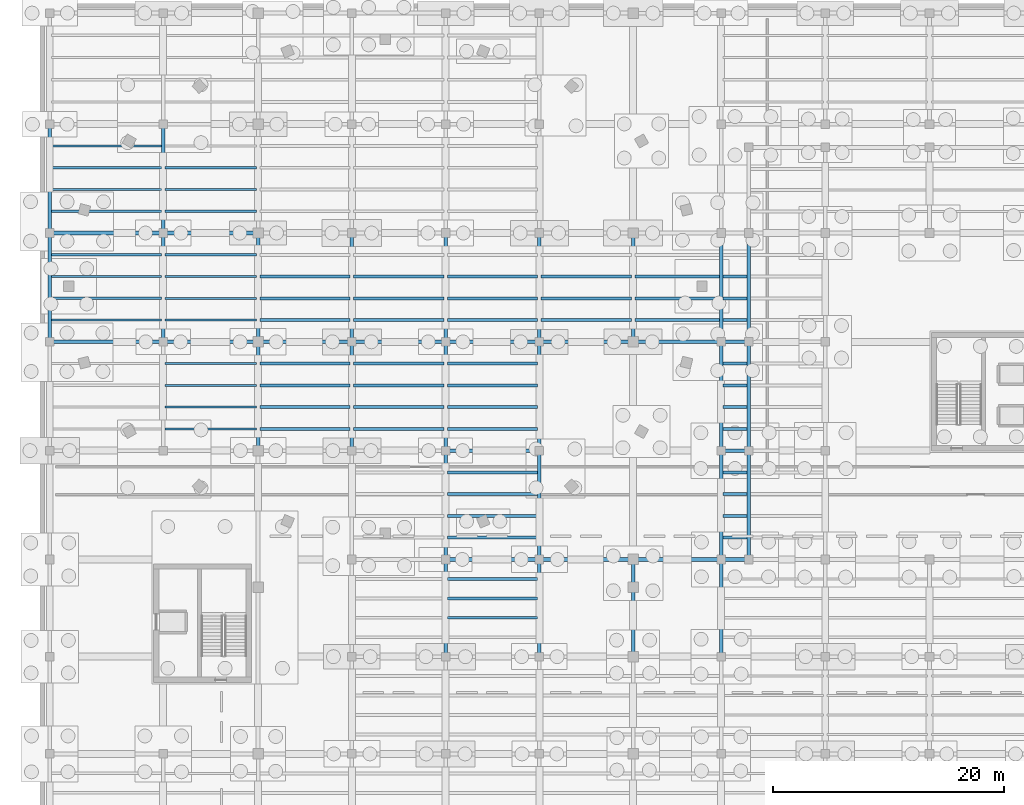
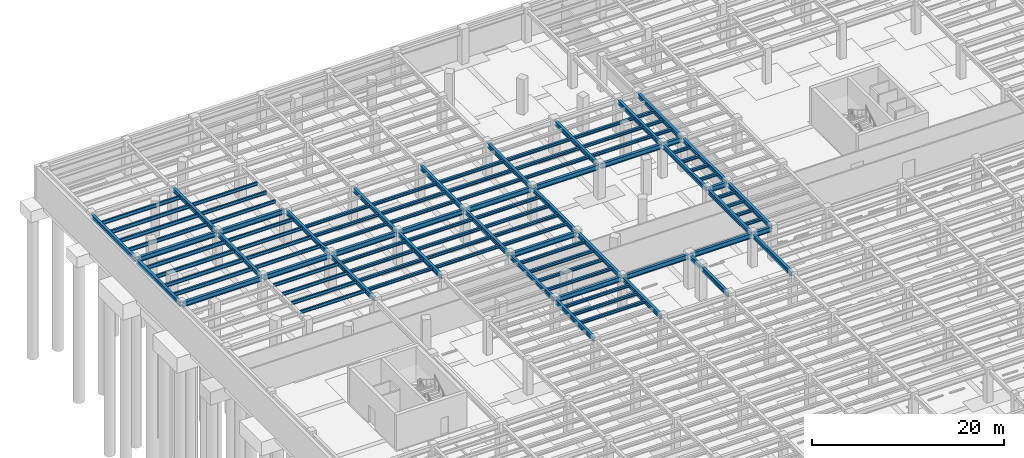
# One storey, part 23 of 49: 106 beams.
"""IFC4 building model written with IfcOpenShell, lengths in metres."""

from ifc_helpers import new_model, si_unit, direction, frame, origin, origin_2d, place, context, subcontext, project, spatial, i_section, extrude, material, material_profile, profile_set, type_object, element, save


model = new_model("IFC4")

# Units and contexts
model_context = context("Model", 3, precision=1e-05, world=origin(), true_north=direction((0.0, 1.0)))
body_context = subcontext(model_context, "Body", "Model", "MODEL_VIEW")
ifc_project = project(units=[si_unit("LENGTHUNIT", "METRE"), si_unit("AREAUNIT", "SQUARE_METRE"), si_unit("VOLUMEUNIT", "CUBIC_METRE"), si_unit("PLANEANGLEUNIT", "RADIAN"), si_unit("MASSUNIT", "GRAM", prefix="KILO")], contexts=[model_context])

# Site, building, storey
site_placement = place(None, origin())
site = spatial("IfcSite", under=ifc_project, at=site_placement, CompositionType="ELEMENT")
building_placement = place(site_placement, origin())
building = spatial("IfcBuilding", under=site, at=building_placement, Name="Sollismere Congress Hotel", CompositionType="ELEMENT")
storey_placement = place(building_placement, frame((0.0, 0.0, -4.5)))
storey = spatial("IfcBuildingStorey", under=building, at=storey_placement, Name="B1", CompositionType="ELEMENT", Elevation=-4.5)

# Beams
ifc_material = material(Name="Steel ASTM A992 Grade 50", Category="steel")
ifc_material_profile_1 = material_profile(ifc_material, i_section(OverallWidth=0.31494140625, OverallDepth=0.551025390625, WebThickness=0.01513671875, FlangeThickness=0.0244140625, at=origin_2d()), Name="W21X122")
ifc_profile_set_1 = profile_set([ifc_material_profile_1], Name="Steel ASTM A992 Grade 50")
beam_type_1 = type_object("IfcBeamType", Name="BM-G21H", PredefinedType="BEAM", material=ifc_profile_set_1)
for number, where, z_axis, x_axis, name in (
    (1, (9.800048828125, 85.739990234375, 3.924560546875), (0.0, 1.0, 0.0), (-1.0, 0.0, 0.0), "Beam BM-B1-0253"),
    (2, (9.800048828125, 95.139892578125, 3.924560546875), (0.0, 1.0, 0.0), (-1.0, 0.0, 0.0), "Beam BM-B1-0254"),
):
    element("IfcBeam", number, at=place(storey_placement, frame(where, z_axis=z_axis, x_axis=x_axis)), inside=storey, type_object=beam_type_1, Name=name, PredefinedType="BEAM", context=body_context, shape_type="SweptSolid", body=[
        extrude(i_section(OverallWidth=0.31494140625, OverallDepth=0.551025390625, WebThickness=0.01513671875, FlangeThickness=0.0244140625, at=origin_2d()), origin(), (0.0, 0.0, 1.0), 9.1201171875),
    ])
beam_1_placement = place(storey_placement, frame((18.0, 76.340087890625, 3.924560546875), z_axis=(0.0, 1.0, 0.0), x_axis=(-1.0, 0.0, 0.0)))
element("IfcBeam", 3, at=beam_1_placement, inside=storey, type_object=beam_type_1, Name="Beam BM-B1-0264", PredefinedType="BEAM", context=body_context, shape_type="SweptSolid", body=[
    extrude(i_section(OverallWidth=0.31494140625, OverallDepth=0.551025390625, WebThickness=0.01513671875, FlangeThickness=0.0244140625, at=origin_2d()), origin(), (0.0, 0.0, 1.0), 9.119873046875),
])
beam_2_placement = place(storey_placement, frame((18.0, 85.739990234375, 3.924560546875), z_axis=(0.0, 1.0, 0.0), x_axis=(-1.0, 0.0, 0.0)))
element("IfcBeam", 4, at=beam_2_placement, inside=storey, type_object=beam_type_1, Name="Beam BM-B1-0265", PredefinedType="BEAM", context=body_context, shape_type="SweptSolid", body=[
    extrude(i_section(OverallWidth=0.31494140625, OverallDepth=0.551025390625, WebThickness=0.01513671875, FlangeThickness=0.0244140625, at=origin_2d()), origin(), (0.0, 0.0, 1.0), 9.1201171875),
])
beam_3_placement = place(storey_placement, frame((26.10009765625, 76.340087890625, 3.924560546875), z_axis=(0.0, 1.0, 0.0), x_axis=(-1.0, 0.0, 0.0)))
element("IfcBeam", 5, at=beam_3_placement, inside=storey, type_object=beam_type_1, Name="Beam BM-B1-0277", PredefinedType="BEAM", context=body_context, shape_type="SweptSolid", body=[
    extrude(i_section(OverallWidth=0.31494140625, OverallDepth=0.551025390625, WebThickness=0.01513671875, FlangeThickness=0.0244140625, at=origin_2d()), origin(), (0.0, 0.0, 1.0), 9.119873046875),
])
beam_4_placement = place(storey_placement, frame((26.10009765625, 85.739990234375, 3.924560546875), z_axis=(0.0, 1.0, 0.0), x_axis=(-1.0, 0.0, 0.0)))
element("IfcBeam", 6, at=beam_4_placement, inside=storey, type_object=beam_type_1, Name="Beam BM-B1-0278", PredefinedType="BEAM", context=body_context, shape_type="SweptSolid", body=[
    extrude(i_section(OverallWidth=0.31494140625, OverallDepth=0.551025390625, WebThickness=0.01513671875, FlangeThickness=0.0244140625, at=origin_2d()), origin(), (0.0, 0.0, 1.0), 9.1201171875),
])
beam_5_placement = place(storey_placement, frame((34.199951171875, 58.5400390625, 3.924560546875), z_axis=(0.0, 1.0, 0.0), x_axis=(-1.0, 0.0, 0.0)))
element("IfcBeam", 7, at=beam_5_placement, inside=storey, type_object=beam_type_1, Name="Beam BM-B1-0288", PredefinedType="BEAM", context=body_context, shape_type="SweptSolid", body=[
    extrude(i_section(OverallWidth=0.31494140625, OverallDepth=0.551025390625, WebThickness=0.01513671875, FlangeThickness=0.0244140625, at=origin_2d()), origin(), (0.0, 0.0, 1.0), 8.119873046875),
])
beam_6_placement = place(storey_placement, frame((34.199951171875, 66.93994140625, 3.924560546875), z_axis=(0.0, 1.0, 0.0), x_axis=(-1.0, 0.0, 0.0)))
element("IfcBeam", 8, at=beam_6_placement, inside=storey, type_object=beam_type_1, Name="Beam BM-B1-0289", PredefinedType="BEAM", context=body_context, shape_type="SweptSolid", body=[
    extrude(i_section(OverallWidth=0.31494140625, OverallDepth=0.551025390625, WebThickness=0.01513671875, FlangeThickness=0.0244140625, at=origin_2d()), origin(), (0.0, 0.0, 1.0), 9.1201171875),
])
beam_7_placement = place(storey_placement, frame((34.199951171875, 76.340087890625, 3.924560546875), z_axis=(0.0, 1.0, 0.0), x_axis=(-1.0, 0.0, 0.0)))
element("IfcBeam", 9, at=beam_7_placement, inside=storey, type_object=beam_type_1, Name="Beam BM-B1-0290", PredefinedType="BEAM", context=body_context, shape_type="SweptSolid", body=[
    extrude(i_section(OverallWidth=0.31494140625, OverallDepth=0.551025390625, WebThickness=0.01513671875, FlangeThickness=0.0244140625, at=origin_2d()), origin(), (0.0, 0.0, 1.0), 9.119873046875),
])
beam_8_placement = place(storey_placement, frame((34.199951171875, 85.739990234375, 3.924560546875), z_axis=(0.0, 1.0, 0.0), x_axis=(-1.0, 0.0, 0.0)))
element("IfcBeam", 10, at=beam_8_placement, inside=storey, type_object=beam_type_1, Name="Beam BM-B1-0291", PredefinedType="BEAM", context=body_context, shape_type="SweptSolid", body=[
    extrude(i_section(OverallWidth=0.31494140625, OverallDepth=0.551025390625, WebThickness=0.01513671875, FlangeThickness=0.0244140625, at=origin_2d()), origin(), (0.0, 0.0, 1.0), 9.1201171875),
])
beam_9_placement = place(storey_placement, frame((42.300048828125, 58.5400390625, 3.924560546875), z_axis=(0.0, 1.0, 0.0), x_axis=(-1.0, 0.0, 0.0)))
element("IfcBeam", 11, at=beam_9_placement, inside=storey, type_object=beam_type_1, Name="Beam BM-B1-0301", PredefinedType="BEAM", context=body_context, shape_type="SweptSolid", body=[
    extrude(i_section(OverallWidth=0.31494140625, OverallDepth=0.551025390625, WebThickness=0.01513671875, FlangeThickness=0.0244140625, at=origin_2d()), origin(), (0.0, 0.0, 1.0), 8.119873046875),
])
beam_10_placement = place(storey_placement, frame((42.300048828125, 66.93994140625, 3.924560546875), z_axis=(0.0, 1.0, 0.0), x_axis=(-1.0, 0.0, 0.0)))
element("IfcBeam", 12, at=beam_10_placement, inside=storey, type_object=beam_type_1, Name="Beam BM-B1-0302", PredefinedType="BEAM", context=body_context, shape_type="SweptSolid", body=[
    extrude(i_section(OverallWidth=0.31494140625, OverallDepth=0.551025390625, WebThickness=0.01513671875, FlangeThickness=0.0244140625, at=origin_2d()), origin(), (0.0, 0.0, 1.0), 9.1201171875),
])
beam_11_placement = place(storey_placement, frame((42.300048828125, 76.340087890625, 3.924560546875), z_axis=(0.0, 1.0, 0.0), x_axis=(-1.0, 0.0, 0.0)))
element("IfcBeam", 13, at=beam_11_placement, inside=storey, type_object=beam_type_1, Name="Beam BM-B1-0303", PredefinedType="BEAM", context=body_context, shape_type="SweptSolid", body=[
    extrude(i_section(OverallWidth=0.31494140625, OverallDepth=0.551025390625, WebThickness=0.01513671875, FlangeThickness=0.0244140625, at=origin_2d()), origin(), (0.0, 0.0, 1.0), 9.119873046875),
])
beam_12_placement = place(storey_placement, frame((42.300048828125, 85.739990234375, 3.924560546875), z_axis=(0.0, 1.0, 0.0), x_axis=(-1.0, 0.0, 0.0)))
element("IfcBeam", 14, at=beam_12_placement, inside=storey, type_object=beam_type_1, Name="Beam BM-B1-0304", PredefinedType="BEAM", context=body_context, shape_type="SweptSolid", body=[
    extrude(i_section(OverallWidth=0.31494140625, OverallDepth=0.551025390625, WebThickness=0.01513671875, FlangeThickness=0.0244140625, at=origin_2d()), origin(), (0.0, 0.0, 1.0), 9.1201171875),
])
beam_13_placement = place(storey_placement, frame((50.39990234375, 58.5400390625, 3.924560546875), z_axis=(0.0, 1.0, 0.0), x_axis=(-1.0, 0.0, 0.0)))
element("IfcBeam", 15, at=beam_13_placement, inside=storey, type_object=beam_type_1, Name="Beam BM-B1-0312", PredefinedType="BEAM", context=body_context, shape_type="SweptSolid", body=[
    extrude(i_section(OverallWidth=0.31494140625, OverallDepth=0.551025390625, WebThickness=0.01513671875, FlangeThickness=0.0244140625, at=origin_2d()), origin(), (0.0, 0.0, 1.0), 5.719970703125),
])
beam_14_placement = place(storey_placement, frame((50.39990234375, 64.5400390625, 3.924560546875), z_axis=(0.0, 1.0, 0.0), x_axis=(-1.0, 0.0, 0.0)))
element("IfcBeam", 16, at=beam_14_placement, inside=storey, type_object=beam_type_1, Name="Beam BM-B1-0313", PredefinedType="BEAM", context=body_context, shape_type="SweptSolid", body=[
    extrude(i_section(OverallWidth=0.31494140625, OverallDepth=0.551025390625, WebThickness=0.01513671875, FlangeThickness=0.0244140625, at=origin_2d()), origin(), (0.0, 0.0, 1.0), 2.119873046875),
])
beam_15_placement = place(storey_placement, frame((50.39990234375, 85.739990234375, 3.924560546875), z_axis=(0.0, 1.0, 0.0), x_axis=(-1.0, 0.0, 0.0)))
element("IfcBeam", 17, at=beam_15_placement, inside=storey, type_object=beam_type_1, Name="Beam BM-B1-0314", PredefinedType="BEAM", context=body_context, shape_type="SweptSolid", body=[
    extrude(i_section(OverallWidth=0.31494140625, OverallDepth=0.551025390625, WebThickness=0.01513671875, FlangeThickness=0.0244140625, at=origin_2d()), origin(), (0.0, 0.0, 1.0), 9.1201171875),
])
beam_16_placement = place(storey_placement, frame((58.0, 58.5400390625, 3.924560546875), z_axis=(0.0, 1.0, 0.0), x_axis=(-1.0, 0.0, 0.0)))
element("IfcBeam", 18, at=beam_16_placement, inside=storey, type_object=beam_type_1, Name="Beam BM-B1-0320", PredefinedType="BEAM", context=body_context, shape_type="SweptSolid", body=[
    extrude(i_section(OverallWidth=0.31494140625, OverallDepth=0.551025390625, WebThickness=0.01513671875, FlangeThickness=0.0244140625, at=origin_2d()), origin(), (0.0, 0.0, 1.0), 8.119873046875),
])
beam_17_placement = place(storey_placement, frame((58.0, 66.93994140625, 3.924560546875), z_axis=(0.0, 1.0, 0.0), x_axis=(-1.0, 0.0, 0.0)))
element("IfcBeam", 19, at=beam_17_placement, inside=storey, type_object=beam_type_1, Name="Beam BM-B1-0321", PredefinedType="BEAM", context=body_context, shape_type="SweptSolid", body=[
    extrude(i_section(OverallWidth=0.31494140625, OverallDepth=0.551025390625, WebThickness=0.01513671875, FlangeThickness=0.0244140625, at=origin_2d()), origin(), (0.0, 0.0, 1.0), 9.1201171875),
])
beam_18_placement = place(storey_placement, frame((58.0, 76.340087890625, 3.924560546875), z_axis=(0.0, 1.0, 0.0), x_axis=(-1.0, 0.0, 0.0)))
element("IfcBeam", 20, at=beam_18_placement, inside=storey, type_object=beam_type_1, Name="Beam BM-B1-0322", PredefinedType="BEAM", context=body_context, shape_type="SweptSolid", body=[
    extrude(i_section(OverallWidth=0.31494140625, OverallDepth=0.551025390625, WebThickness=0.01513671875, FlangeThickness=0.0244140625, at=origin_2d()), origin(), (0.0, 0.0, 1.0), 9.119873046875),
])
for number, where, z_axis, x_axis, name in (
    (21, (58.0, 85.739990234375, 3.924560546875), (0.0, 1.0, 0.0), (-1.0, 0.0, 0.0), "Beam BM-B1-0323"),
    (22, (60.39990234375, 66.93994140625, 3.924560546875), (0.0, 1.0, 0.0), (-1.0, 0.0, 0.0), "Beam BM-B1-0326"),
):
    element("IfcBeam", number, at=place(storey_placement, frame(where, z_axis=z_axis, x_axis=x_axis)), inside=storey, type_object=beam_type_1, Name=name, PredefinedType="BEAM", context=body_context, shape_type="SweptSolid", body=[
        extrude(i_section(OverallWidth=0.31494140625, OverallDepth=0.551025390625, WebThickness=0.01513671875, FlangeThickness=0.0244140625, at=origin_2d()), origin(), (0.0, 0.0, 1.0), 9.1201171875),
    ])
beam_19_placement = place(storey_placement, frame((60.39990234375, 76.340087890625, 3.924560546875), z_axis=(0.0, 1.0, 0.0), x_axis=(-1.0, 0.0, 0.0)))
element("IfcBeam", 23, at=beam_19_placement, inside=storey, type_object=beam_type_1, Name="Beam BM-B1-0327", PredefinedType="BEAM", context=body_context, shape_type="SweptSolid", body=[
    extrude(i_section(OverallWidth=0.31494140625, OverallDepth=0.551025390625, WebThickness=0.01513671875, FlangeThickness=0.0244140625, at=origin_2d()), origin(), (0.0, 0.0, 1.0), 9.119873046875),
])
beam_20_placement = place(storey_placement, frame((60.39990234375, 85.739990234375, 3.924560546875), z_axis=(0.0, 1.0, 0.0), x_axis=(-1.0, 0.0, 0.0)))
element("IfcBeam", 24, at=beam_20_placement, inside=storey, type_object=beam_type_1, Name="Beam BM-B1-0328", PredefinedType="BEAM", context=body_context, shape_type="SweptSolid", body=[
    extrude(i_section(OverallWidth=0.31494140625, OverallDepth=0.551025390625, WebThickness=0.01513671875, FlangeThickness=0.0244140625, at=origin_2d()), origin(), (0.0, 0.0, 1.0), 9.1201171875),
])
ifc_material_profile_2 = material_profile(ifc_material, i_section(OverallWidth=0.324951171875, OverallDepth=0.612060546875, WebThickness=0.0126953125, FlangeThickness=0.01904296875, at=origin_2d()), Name="W24X104")
ifc_profile_set_2 = profile_set([ifc_material_profile_2], Name="Steel ASTM A992 Grade 50")
beam_type_2 = type_object("IfcBeamType", Name="BM-G24", PredefinedType="BEAM", material=ifc_profile_set_2)
beam_21_placement = place(storey_placement, frame((34.340087890625, 66.800048828125, 3.89404296875), z_axis=(1.0, 0.0, 0.0), x_axis=(0.0, 1.0, 0.0)))
element("IfcBeam", 25, at=beam_21_placement, inside=storey, type_object=beam_type_2, Name="Beam BM-B1-0128", PredefinedType="BEAM", context=body_context, shape_type="SweptSolid", body=[
    extrude(i_section(OverallWidth=0.324951171875, OverallDepth=0.612060546875, WebThickness=0.0126953125, FlangeThickness=0.01904296875, at=origin_2d()), origin(), (0.0, 0.0, 1.0), 7.81982421875),
])
beam_22_placement = place(storey_placement, frame((42.43994140625, 66.800048828125, 3.89404296875), z_axis=(1.0, 0.0, 0.0), x_axis=(0.0, 1.0, 0.0)))
element("IfcBeam", 26, at=beam_22_placement, inside=storey, type_object=beam_type_2, Name="Beam BM-B1-0129", PredefinedType="BEAM", context=body_context, shape_type="SweptSolid", body=[
    extrude(i_section(OverallWidth=0.324951171875, OverallDepth=0.612060546875, WebThickness=0.0126953125, FlangeThickness=0.01904296875, at=origin_2d()), origin(), (0.0, 0.0, 1.0), 7.820068359375),
])
beam_23_placement = place(storey_placement, frame((50.5400390625, 66.800048828125, 3.89404296875), z_axis=(1.0, 0.0, 0.0), x_axis=(0.0, 1.0, 0.0)))
element("IfcBeam", 27, at=beam_23_placement, inside=storey, type_object=beam_type_2, Name="Beam BM-B1-0130", PredefinedType="BEAM", context=body_context, shape_type="SweptSolid", body=[
    extrude(i_section(OverallWidth=0.324951171875, OverallDepth=0.612060546875, WebThickness=0.0126953125, FlangeThickness=0.01904296875, at=origin_2d()), origin(), (0.0, 0.0, 1.0), 7.320068359375),
])
beam_24_placement = place(storey_placement, frame((58.139892578125, 66.800048828125, 3.89404296875), z_axis=(1.0, 0.0, 0.0), x_axis=(0.0, 1.0, 0.0)))
element("IfcBeam", 28, at=beam_24_placement, inside=storey, type_object=beam_type_2, Name="Beam BM-B1-0131", PredefinedType="BEAM", context=body_context, shape_type="SweptSolid", body=[
    extrude(i_section(OverallWidth=0.324951171875, OverallDepth=0.612060546875, WebThickness=0.0126953125, FlangeThickness=0.01904296875, at=origin_2d()), origin(), (0.0, 0.0, 1.0), 2.1201171875),
])
beam_25_placement = place(storey_placement, frame((34.340087890625, 76.199951171875, 3.89404296875), z_axis=(1.0, 0.0, 0.0), x_axis=(0.0, 1.0, 0.0)))
element("IfcBeam", 29, at=beam_25_placement, inside=storey, type_object=beam_type_2, Name="Beam BM-B1-0147", PredefinedType="BEAM", context=body_context, shape_type="SweptSolid", body=[
    extrude(i_section(OverallWidth=0.324951171875, OverallDepth=0.612060546875, WebThickness=0.0126953125, FlangeThickness=0.01904296875, at=origin_2d()), origin(), (0.0, 0.0, 1.0), 7.81982421875),
])
beam_26_placement = place(storey_placement, frame((58.139892578125, 76.199951171875, 3.89404296875), z_axis=(1.0, 0.0, 0.0), x_axis=(0.0, 1.0, 0.0)))
element("IfcBeam", 30, at=beam_26_placement, inside=storey, type_object=beam_type_2, Name="Beam BM-B1-0148", PredefinedType="BEAM", context=body_context, shape_type="SweptSolid", body=[
    extrude(i_section(OverallWidth=0.324951171875, OverallDepth=0.612060546875, WebThickness=0.0126953125, FlangeThickness=0.01904296875, at=origin_2d()), origin(), (0.0, 0.0, 1.0), 2.1201171875),
])
beam_27_placement = place(storey_placement, frame((0.139892578125, 85.60009765625, 3.89404296875), z_axis=(1.0, 0.0, 0.0), x_axis=(0.0, 1.0, 0.0)))
element("IfcBeam", 31, at=beam_27_placement, inside=storey, type_object=beam_type_2, Name="Beam BM-B1-0157", PredefinedType="BEAM", context=body_context, shape_type="SweptSolid", body=[
    extrude(i_section(OverallWidth=0.324951171875, OverallDepth=0.612060546875, WebThickness=0.0126953125, FlangeThickness=0.01904296875, at=origin_2d()), origin(), (0.0, 0.0, 1.0), 9.52001953125),
])
beam_28_placement = place(storey_placement, frame((9.93994140625, 85.60009765625, 3.89404296875), z_axis=(1.0, 0.0, 0.0), x_axis=(0.0, 1.0, 0.0)))
element("IfcBeam", 32, at=beam_28_placement, inside=storey, type_object=beam_type_2, Name="Beam BM-B1-0158", PredefinedType="BEAM", context=body_context, shape_type="SweptSolid", body=[
    extrude(i_section(OverallWidth=0.324951171875, OverallDepth=0.612060546875, WebThickness=0.0126953125, FlangeThickness=0.01904296875, at=origin_2d()), origin(), (0.0, 0.0, 1.0), 7.920166015625),
])
for number, where, z_axis, x_axis, name in (
    (33, (18.139892578125, 85.60009765625, 3.89404296875), (1.0, 0.0, 0.0), (0.0, 1.0, 0.0), "Beam BM-B1-0159"),
    (34, (26.239990234375, 85.60009765625, 3.89404296875), (1.0, 0.0, 0.0), (0.0, 1.0, 0.0), "Beam BM-B1-0160"),
):
    element("IfcBeam", number, at=place(storey_placement, frame(where, z_axis=z_axis, x_axis=x_axis)), inside=storey, type_object=beam_type_2, Name=name, PredefinedType="BEAM", context=body_context, shape_type="SweptSolid", body=[
        extrude(i_section(OverallWidth=0.324951171875, OverallDepth=0.612060546875, WebThickness=0.0126953125, FlangeThickness=0.01904296875, at=origin_2d()), origin(), (0.0, 0.0, 1.0), 7.820068359375),
    ])
beam_29_placement = place(storey_placement, frame((34.340087890625, 85.60009765625, 3.89404296875), z_axis=(1.0, 0.0, 0.0), x_axis=(0.0, 1.0, 0.0)))
element("IfcBeam", 35, at=beam_29_placement, inside=storey, type_object=beam_type_2, Name="Beam BM-B1-0161", PredefinedType="BEAM", context=body_context, shape_type="SweptSolid", body=[
    extrude(i_section(OverallWidth=0.324951171875, OverallDepth=0.612060546875, WebThickness=0.0126953125, FlangeThickness=0.01904296875, at=origin_2d()), origin(), (0.0, 0.0, 1.0), 7.81982421875),
])
beam_30_placement = place(storey_placement, frame((42.43994140625, 85.60009765625, 3.89404296875), z_axis=(1.0, 0.0, 0.0), x_axis=(0.0, 1.0, 0.0)))
element("IfcBeam", 36, at=beam_30_placement, inside=storey, type_object=beam_type_2, Name="Beam BM-B1-0162", PredefinedType="BEAM", context=body_context, shape_type="SweptSolid", body=[
    extrude(i_section(OverallWidth=0.324951171875, OverallDepth=0.612060546875, WebThickness=0.0126953125, FlangeThickness=0.01904296875, at=origin_2d()), origin(), (0.0, 0.0, 1.0), 7.820068359375),
])
beam_31_placement = place(storey_placement, frame((50.5400390625, 85.60009765625, 3.89404296875), z_axis=(1.0, 0.0, 0.0), x_axis=(0.0, 1.0, 0.0)))
element("IfcBeam", 37, at=beam_31_placement, inside=storey, type_object=beam_type_2, Name="Beam BM-B1-0163", PredefinedType="BEAM", context=body_context, shape_type="SweptSolid", body=[
    extrude(i_section(OverallWidth=0.324951171875, OverallDepth=0.612060546875, WebThickness=0.0126953125, FlangeThickness=0.01904296875, at=origin_2d()), origin(), (0.0, 0.0, 1.0), 7.320068359375),
])
beam_32_placement = place(storey_placement, frame((58.139892578125, 85.60009765625, 3.89404296875), z_axis=(1.0, 0.0, 0.0), x_axis=(0.0, 1.0, 0.0)))
element("IfcBeam", 38, at=beam_32_placement, inside=storey, type_object=beam_type_2, Name="Beam BM-B1-0164", PredefinedType="BEAM", context=body_context, shape_type="SweptSolid", body=[
    extrude(i_section(OverallWidth=0.324951171875, OverallDepth=0.612060546875, WebThickness=0.0126953125, FlangeThickness=0.01904296875, at=origin_2d()), origin(), (0.0, 0.0, 1.0), 2.1201171875),
])
beam_33_placement = place(storey_placement, frame((0.139892578125, 95.0, 3.89404296875), z_axis=(1.0, 0.0, 0.0), x_axis=(0.0, 1.0, 0.0)))
element("IfcBeam", 39, at=beam_33_placement, inside=storey, type_object=beam_type_2, Name="Beam BM-B1-0173", PredefinedType="BEAM", context=body_context, shape_type="SweptSolid", body=[
    extrude(i_section(OverallWidth=0.324951171875, OverallDepth=0.612060546875, WebThickness=0.0126953125, FlangeThickness=0.01904296875, at=origin_2d()), origin(), (0.0, 0.0, 1.0), 9.52001953125),
])
beam_34_placement = place(storey_placement, frame((9.93994140625, 95.0, 3.89404296875), z_axis=(1.0, 0.0, 0.0), x_axis=(0.0, 1.0, 0.0)))
element("IfcBeam", 40, at=beam_34_placement, inside=storey, type_object=beam_type_2, Name="Beam BM-B1-0174", PredefinedType="BEAM", context=body_context, shape_type="SweptSolid", body=[
    extrude(i_section(OverallWidth=0.324951171875, OverallDepth=0.612060546875, WebThickness=0.0126953125, FlangeThickness=0.01904296875, at=origin_2d()), origin(), (0.0, 0.0, 1.0), 7.920166015625),
])
ifc_material_profile_3 = material_profile(ifc_material, i_section(OverallWidth=0.25390625, OverallDepth=0.35595703125, WebThickness=0.010498046875, FlangeThickness=0.018310546875, at=origin_2d()), Name="W14X68")
ifc_profile_set_3 = profile_set([ifc_material_profile_3], Name="Steel ASTM A992 Grade 50")
beam_type_3 = type_object("IfcBeamType", Name="BM-J14", PredefinedType="JOIST", material=ifc_profile_set_3)
for number, where, z_axis, x_axis, name in (
    (41, (18.157470703125, 78.080078125, 4.02197265625), (1.0, 0.0, 0.0), (0.0, 1.0, 0.0), "Beam BM-B1-0553"),
    (42, (18.157470703125, 79.9599609375, 4.02197265625), (1.0, 0.0, 0.0), (0.0, 1.0, 0.0), "Beam BM-B1-0554"),
    (43, (18.157470703125, 81.840087890625, 4.02197265625), (1.0, 0.0, 0.0), (0.0, 1.0, 0.0), "Beam BM-B1-0555"),
    (44, (18.157470703125, 83.719970703125, 4.02197265625), (1.0, 0.0, 0.0), (0.0, 1.0, 0.0), "Beam BM-B1-0556"),
    (45, (18.157470703125, 87.47998046875, 4.02197265625), (1.0, 0.0, 0.0), (0.0, 1.0, 0.0), "Beam BM-B1-0557"),
    (46, (18.157470703125, 89.360107421875, 4.02197265625), (1.0, 0.0, 0.0), (0.0, 1.0, 0.0), "Beam BM-B1-0558"),
    (47, (18.157470703125, 91.239990234375, 4.02197265625), (1.0, 0.0, 0.0), (0.0, 1.0, 0.0), "Beam BM-B1-0559"),
    (48, (26.257568359375, 78.080078125, 4.02197265625), (1.0, 0.0, 0.0), (0.0, 1.0, 0.0), "Beam BM-B1-0604"),
    (49, (26.257568359375, 79.9599609375, 4.02197265625), (1.0, 0.0, 0.0), (0.0, 1.0, 0.0), "Beam BM-B1-0605"),
    (50, (26.257568359375, 81.840087890625, 4.02197265625), (1.0, 0.0, 0.0), (0.0, 1.0, 0.0), "Beam BM-B1-0606"),
    (51, (26.257568359375, 83.719970703125, 4.02197265625), (1.0, 0.0, 0.0), (0.0, 1.0, 0.0), "Beam BM-B1-0607"),
    (52, (26.257568359375, 87.47998046875, 4.02197265625), (1.0, 0.0, 0.0), (0.0, 1.0, 0.0), "Beam BM-B1-0608"),
    (53, (26.257568359375, 89.360107421875, 4.02197265625), (1.0, 0.0, 0.0), (0.0, 1.0, 0.0), "Beam BM-B1-0609"),
    (54, (26.257568359375, 91.239990234375, 4.02197265625), (1.0, 0.0, 0.0), (0.0, 1.0, 0.0), "Beam BM-B1-0610"),
):
    element("IfcBeam", number, at=place(storey_placement, frame(where, z_axis=z_axis, x_axis=x_axis)), inside=storey, type_object=beam_type_3, Name=name, PredefinedType="JOIST", context=body_context, shape_type="SweptSolid", body=[
        extrude(i_section(OverallWidth=0.25390625, OverallDepth=0.35595703125, WebThickness=0.010498046875, FlangeThickness=0.018310546875, at=origin_2d()), origin(), (0.0, 0.0, 1.0), 7.784912109375),
    ])
for number, where, z_axis, x_axis, name in (
    (55, (34.357421875, 61.760009765625, 4.02197265625), (1.0, 0.0, 0.0), (0.0, 1.0, 0.0), "Beam BM-B1-0648"),
    (56, (34.357421875, 63.43994140625, 4.02197265625), (1.0, 0.0, 0.0), (0.0, 1.0, 0.0), "Beam BM-B1-0649"),
    (57, (34.357421875, 65.1201171875, 4.02197265625), (1.0, 0.0, 0.0), (0.0, 1.0, 0.0), "Beam BM-B1-0650"),
    (58, (34.357421875, 68.679931640625, 4.02197265625), (1.0, 0.0, 0.0), (0.0, 1.0, 0.0), "Beam BM-B1-0651"),
    (59, (34.357421875, 70.56005859375, 4.02197265625), (1.0, 0.0, 0.0), (0.0, 1.0, 0.0), "Beam BM-B1-0652"),
    (60, (34.357421875, 72.43994140625, 4.02197265625), (1.0, 0.0, 0.0), (0.0, 1.0, 0.0), "Beam BM-B1-0653"),
    (61, (34.357421875, 74.320068359375, 4.02197265625), (1.0, 0.0, 0.0), (0.0, 1.0, 0.0), "Beam BM-B1-0654"),
    (62, (34.357421875, 78.080078125, 4.02197265625), (1.0, 0.0, 0.0), (0.0, 1.0, 0.0), "Beam BM-B1-0655"),
    (63, (34.357421875, 79.9599609375, 4.02197265625), (1.0, 0.0, 0.0), (0.0, 1.0, 0.0), "Beam BM-B1-0656"),
    (64, (34.357421875, 81.840087890625, 4.02197265625), (1.0, 0.0, 0.0), (0.0, 1.0, 0.0), "Beam BM-B1-0657"),
    (65, (34.357421875, 83.719970703125, 4.02197265625), (1.0, 0.0, 0.0), (0.0, 1.0, 0.0), "Beam BM-B1-0658"),
    (66, (34.357421875, 87.47998046875, 4.02197265625), (1.0, 0.0, 0.0), (0.0, 1.0, 0.0), "Beam BM-B1-0659"),
    (67, (34.357421875, 89.360107421875, 4.02197265625), (1.0, 0.0, 0.0), (0.0, 1.0, 0.0), "Beam BM-B1-0660"),
    (68, (34.357421875, 91.239990234375, 4.02197265625), (1.0, 0.0, 0.0), (0.0, 1.0, 0.0), "Beam BM-B1-0661"),
):
    element("IfcBeam", number, at=place(storey_placement, frame(where, z_axis=z_axis, x_axis=x_axis)), inside=storey, type_object=beam_type_3, Name=name, PredefinedType="JOIST", context=body_context, shape_type="SweptSolid", body=[
        extrude(i_section(OverallWidth=0.25390625, OverallDepth=0.35595703125, WebThickness=0.010498046875, FlangeThickness=0.018310546875, at=origin_2d()), origin(), (0.0, 0.0, 1.0), 7.78515625),
    ])
for number, where, z_axis, x_axis, name in (
    (69, (42.45751953125, 87.47998046875, 4.02197265625), (1.0, 0.0, 0.0), (0.0, 1.0, 0.0), "Beam BM-B1-0687"),
    (70, (42.45751953125, 89.360107421875, 4.02197265625), (1.0, 0.0, 0.0), (0.0, 1.0, 0.0), "Beam BM-B1-0688"),
    (71, (42.45751953125, 91.239990234375, 4.02197265625), (1.0, 0.0, 0.0), (0.0, 1.0, 0.0), "Beam BM-B1-0689"),
):
    element("IfcBeam", number, at=place(storey_placement, frame(where, z_axis=z_axis, x_axis=x_axis)), inside=storey, type_object=beam_type_3, Name=name, PredefinedType="JOIST", context=body_context, shape_type="SweptSolid", body=[
        extrude(i_section(OverallWidth=0.25390625, OverallDepth=0.35595703125, WebThickness=0.010498046875, FlangeThickness=0.018310546875, at=origin_2d()), origin(), (0.0, 0.0, 1.0), 7.784912109375),
    ])
for number, where, z_axis, x_axis, name in (
    (72, (50.5576171875, 87.47998046875, 4.02197265625), (1.0, 0.0, 0.0), (0.0, 1.0, 0.0), "Beam BM-B1-0707"),
    (73, (50.5576171875, 89.360107421875, 4.02197265625), (1.0, 0.0, 0.0), (0.0, 1.0, 0.0), "Beam BM-B1-0708"),
    (74, (50.5576171875, 91.239990234375, 4.02197265625), (1.0, 0.0, 0.0), (0.0, 1.0, 0.0), "Beam BM-B1-0709"),
):
    element("IfcBeam", number, at=place(storey_placement, frame(where, z_axis=z_axis, x_axis=x_axis)), inside=storey, type_object=beam_type_3, Name=name, PredefinedType="JOIST", context=body_context, shape_type="SweptSolid", body=[
        extrude(i_section(OverallWidth=0.25390625, OverallDepth=0.35595703125, WebThickness=0.010498046875, FlangeThickness=0.018310546875, at=origin_2d()), origin(), (0.0, 0.0, 1.0), 7.284912109375),
    ])
for number, where, z_axis, x_axis, name in (
    (75, (58.157470703125, 68.679931640625, 4.02197265625), (1.0, 0.0, 0.0), (0.0, 1.0, 0.0), "Beam BM-B1-0731"),
    (76, (58.157470703125, 70.56005859375, 4.02197265625), (1.0, 0.0, 0.0), (0.0, 1.0, 0.0), "Beam BM-B1-0732"),
    (77, (58.157470703125, 72.43994140625, 4.02197265625), (1.0, 0.0, 0.0), (0.0, 1.0, 0.0), "Beam BM-B1-0733"),
    (78, (58.157470703125, 74.320068359375, 4.02197265625), (1.0, 0.0, 0.0), (0.0, 1.0, 0.0), "Beam BM-B1-0734"),
    (79, (58.157470703125, 78.080078125, 4.02197265625), (1.0, 0.0, 0.0), (0.0, 1.0, 0.0), "Beam BM-B1-0735"),
    (80, (58.157470703125, 79.9599609375, 4.02197265625), (1.0, 0.0, 0.0), (0.0, 1.0, 0.0), "Beam BM-B1-0736"),
    (81, (58.157470703125, 81.840087890625, 4.02197265625), (1.0, 0.0, 0.0), (0.0, 1.0, 0.0), "Beam BM-B1-0737"),
    (82, (58.157470703125, 83.719970703125, 4.02197265625), (1.0, 0.0, 0.0), (0.0, 1.0, 0.0), "Beam BM-B1-0738"),
    (83, (58.157470703125, 87.47998046875, 4.02197265625), (1.0, 0.0, 0.0), (0.0, 1.0, 0.0), "Beam BM-B1-0739"),
    (84, (58.157470703125, 89.360107421875, 4.02197265625), (1.0, 0.0, 0.0), (0.0, 1.0, 0.0), "Beam BM-B1-0740"),
    (85, (58.157470703125, 91.239990234375, 4.02197265625), (1.0, 0.0, 0.0), (0.0, 1.0, 0.0), "Beam BM-B1-0741"),
):
    element("IfcBeam", number, at=place(storey_placement, frame(where, z_axis=z_axis, x_axis=x_axis)), inside=storey, type_object=beam_type_3, Name=name, PredefinedType="JOIST", context=body_context, shape_type="SweptSolid", body=[
        extrude(i_section(OverallWidth=0.25390625, OverallDepth=0.35595703125, WebThickness=0.010498046875, FlangeThickness=0.018310546875, at=origin_2d()), origin(), (0.0, 0.0, 1.0), 2.0849609375),
    ])
ifc_material_profile_4 = material_profile(ifc_material, i_section(OverallWidth=0.180908203125, OverallDepth=0.4169921875, WebThickness=0.010986328125, FlangeThickness=0.018310546875, at=origin_2d()), Name="W16X57")
ifc_profile_set_4 = profile_set([ifc_material_profile_4], Name="Steel ASTM A992 Grade 50")
beam_type_4 = type_object("IfcBeamType", Name="BM-J16", PredefinedType="JOIST", material=ifc_profile_set_4)
for number, where, z_axis, x_axis, name in (
    (86, (9.95751953125, 78.080078125, 3.991455078125), (1.0, 0.0, 0.0), (0.0, 1.0, 0.0), "Beam BM-B1-0518"),
    (87, (9.95751953125, 79.9599609375, 3.991455078125), (1.0, 0.0, 0.0), (0.0, 1.0, 0.0), "Beam BM-B1-0519"),
    (88, (9.95751953125, 81.840087890625, 3.991455078125), (1.0, 0.0, 0.0), (0.0, 1.0, 0.0), "Beam BM-B1-0520"),
    (89, (9.95751953125, 83.719970703125, 3.991455078125), (1.0, 0.0, 0.0), (0.0, 1.0, 0.0), "Beam BM-B1-0521"),
    (90, (9.95751953125, 87.47998046875, 3.991455078125), (1.0, 0.0, 0.0), (0.0, 1.0, 0.0), "Beam BM-B1-0522"),
    (91, (9.95751953125, 89.360107421875, 3.991455078125), (1.0, 0.0, 0.0), (0.0, 1.0, 0.0), "Beam BM-B1-0523"),
    (92, (9.95751953125, 91.239990234375, 3.991455078125), (1.0, 0.0, 0.0), (0.0, 1.0, 0.0), "Beam BM-B1-0524"),
    (93, (9.95751953125, 93.1201171875, 3.991455078125), (1.0, 0.0, 0.0), (0.0, 1.0, 0.0), "Beam BM-B1-0525"),
    (94, (9.95751953125, 96.8798828125, 3.991455078125), (1.0, 0.0, 0.0), (0.0, 1.0, 0.0), "Beam BM-B1-0526"),
    (95, (9.95751953125, 98.760009765625, 3.991455078125), (1.0, 0.0, 0.0), (0.0, 1.0, 0.0), "Beam BM-B1-0527"),
    (96, (9.95751953125, 100.639892578125, 3.991455078125), (1.0, 0.0, 0.0), (0.0, 1.0, 0.0), "Beam BM-B1-0528"),
):
    element("IfcBeam", number, at=place(storey_placement, frame(where, z_axis=z_axis, x_axis=x_axis)), inside=storey, type_object=beam_type_4, Name=name, PredefinedType="JOIST", context=body_context, shape_type="SweptSolid", body=[
        extrude(i_section(OverallWidth=0.180908203125, OverallDepth=0.4169921875, WebThickness=0.010986328125, FlangeThickness=0.018310546875, at=origin_2d()), origin(), (0.0, 0.0, 1.0), 7.885009765625),
    ])
ifc_material_profile_5 = material_profile(ifc_material, i_section(OverallWidth=0.193115234375, OverallDepth=0.467041015625, WebThickness=0.011474609375, FlangeThickness=0.01904296875, at=origin_2d()), Name="W18X65")
ifc_profile_set_5 = profile_set([ifc_material_profile_5], Name="Steel ASTM A992 Grade 50")
beam_type_5 = type_object("IfcBeamType", Name="BM-J18", PredefinedType="JOIST", material=ifc_profile_set_5)
for number, where, z_axis, x_axis, name in (
    (97, (0.1650390625, 87.47998046875, 3.966552734375), (1.0, 0.0, 0.0), (0.0, 1.0, 0.0), "Beam BM-B1-0487"),
    (98, (0.1650390625, 89.360107421875, 3.966552734375), (1.0, 0.0, 0.0), (0.0, 1.0, 0.0), "Beam BM-B1-0488"),
    (99, (0.1650390625, 91.239990234375, 3.966552734375), (1.0, 0.0, 0.0), (0.0, 1.0, 0.0), "Beam BM-B1-0489"),
    (100, (0.1650390625, 93.1201171875, 3.966552734375), (1.0, 0.0, 0.0), (0.0, 1.0, 0.0), "Beam BM-B1-0490"),
    (101, (0.1650390625, 96.8798828125, 3.966552734375), (1.0, 0.0, 0.0), (0.0, 1.0, 0.0), "Beam BM-B1-0491"),
    (102, (0.1650390625, 98.760009765625, 3.966552734375), (1.0, 0.0, 0.0), (0.0, 1.0, 0.0), "Beam BM-B1-0492"),
    (103, (0.1650390625, 100.639892578125, 3.966552734375), (1.0, 0.0, 0.0), (0.0, 1.0, 0.0), "Beam BM-B1-0493"),
    (104, (0.1650390625, 102.52001953125, 3.966552734375), (1.0, 0.0, 0.0), (0.0, 1.0, 0.0), "Beam BM-B1-0494"),
):
    element("IfcBeam", number, at=place(storey_placement, frame(where, z_axis=z_axis, x_axis=x_axis)), inside=storey, type_object=beam_type_5, Name=name, PredefinedType="JOIST", context=body_context, shape_type="SweptSolid", body=[
        extrude(i_section(OverallWidth=0.193115234375, OverallDepth=0.467041015625, WebThickness=0.011474609375, FlangeThickness=0.01904296875, at=origin_2d()), origin(), (0.0, 0.0, 1.0), 9.4775390625),
    ])
ifc_material_profile_6 = material_profile(ifc_material, i_section(OverallWidth=0.330078125, OverallDepth=0.635009765625, WebThickness=0.017822265625, FlangeThickness=0.031005859375, at=origin_2d()), Name="W24X162")
ifc_profile_set_6 = profile_set([ifc_material_profile_6], Name="Steel ASTM A992 Grade 50")
beam_type_6 = type_object("IfcBeamType", Name="BM-SP24E", PredefinedType="SPANDREL", material=ifc_profile_set_6)
for number, where, z_axis, x_axis, name in (
    (105, (0.0, 85.739990234375, 3.882568359375), (0.0, 1.0, 0.0), (-1.0, 0.0, 0.0), "Beam BM-B1-0243"),
    (106, (0.0, 95.139892578125, 3.882568359375), (0.0, 1.0, 0.0), (-1.0, 0.0, 0.0), "Beam BM-B1-0244"),
):
    element("IfcBeam", number, at=place(storey_placement, frame(where, z_axis=z_axis, x_axis=x_axis)), inside=storey, type_object=beam_type_6, Name=name, PredefinedType="SPANDREL", context=body_context, shape_type="SweptSolid", body=[
        extrude(i_section(OverallWidth=0.330078125, OverallDepth=0.635009765625, WebThickness=0.017822265625, FlangeThickness=0.031005859375, at=origin_2d()), origin(), (0.0, 0.0, 1.0), 9.1201171875),
    ])

save(model, "model.ifc")
